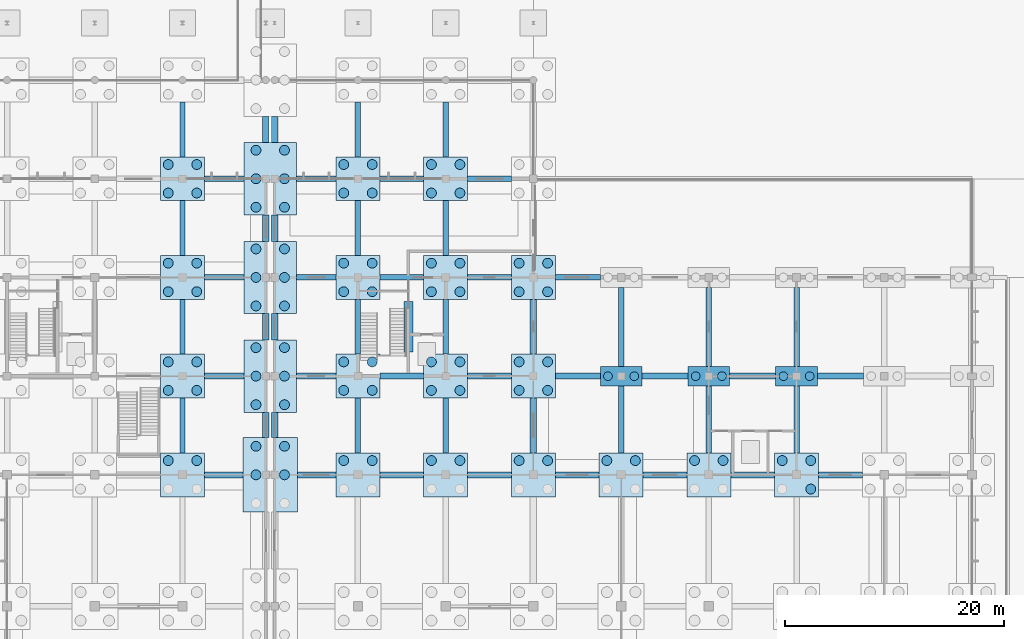
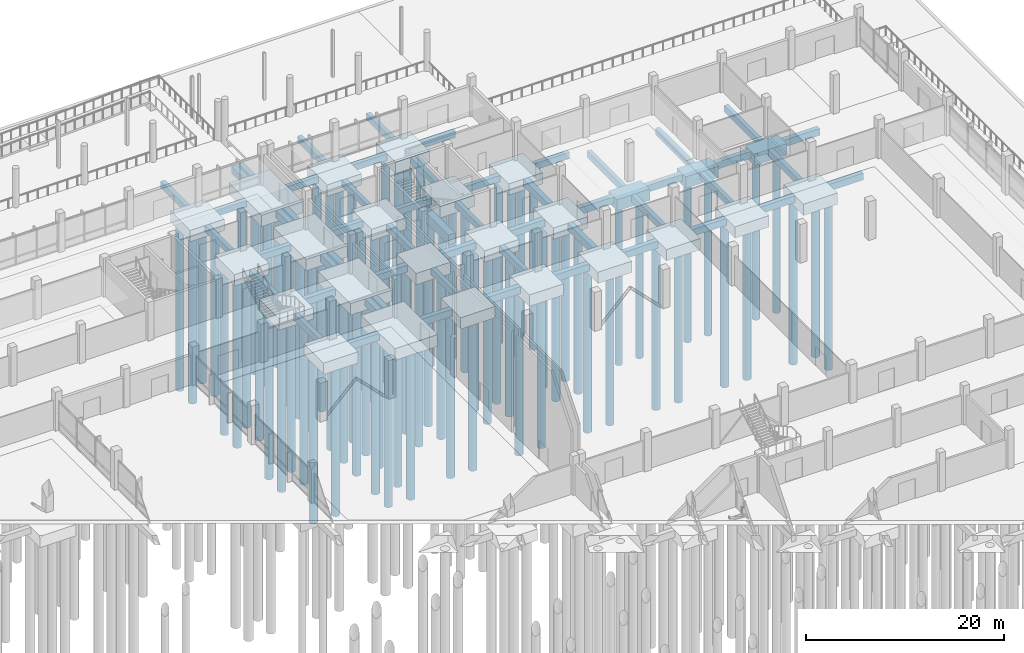
# One storey, part 10 of 72: 87 piles, 79 footings.
"""IFC4 building model written with IfcOpenShell, lengths in metres."""

from ifc_helpers import new_model, si_unit, direction, frame, origin, origin_2d, place, context, subcontext, project, spatial, rectangle, circle, extrude, material, material_profile, profile_set, type_object, element, save


model = new_model("IFC4")

# Units and contexts
model_context = context("Model", 3, precision=1e-05, world=origin(), true_north=direction((0.0, 1.0)))
body_context = subcontext(model_context, "Body", "Model", "MODEL_VIEW")
ifc_project = project(units=[si_unit("LENGTHUNIT", "METRE"), si_unit("AREAUNIT", "SQUARE_METRE"), si_unit("VOLUMEUNIT", "CUBIC_METRE"), si_unit("PLANEANGLEUNIT", "RADIAN"), si_unit("MASSUNIT", "GRAM", prefix="KILO"), si_unit("THERMODYNAMICTEMPERATUREUNIT", "KELVIN"), si_unit("POWERUNIT", "WATT")], contexts=[model_context])

# Site, building, storey
site_placement = place(None, origin())
site = spatial("IfcSite", under=ifc_project, at=site_placement, CompositionType="ELEMENT")
building_placement = place(site_placement, origin())
building = spatial("IfcBuilding", under=site, at=building_placement, Name="Kronsvod Quay Wholesale Market", CompositionType="ELEMENT")
storey_placement = place(building_placement, origin())
storey = spatial("IfcBuildingStorey", under=building, at=storey_placement, Name="L00", CompositionType="ELEMENT", Elevation=0.0)

# Footings
ifc_material_1 = material(Name="Concrete C35/45", Category="concrete")
footing_type_1 = type_object("IfcFootingType", Name="Cap_PC2A", PredefinedType="PILE_CAP", material=ifc_material_1)
for number, where, z_axis, x_axis, name in (
    (1, (160.0, 99.0, -2.64990234375), (0.0, 0.0, 1.0), (1.0, 0.0, 0.0), "CAP-230"),
    (2, (168.0, 99.0, -2.64990234375), (0.0, 0.0, 1.0), (1.0, 0.0, 0.0), "CAP-241"),
    (3, (176.0, 99.0, -2.64990234375), (0.0, 0.0, 1.0), (1.0, 0.0, 0.0), "CAP-252"),
):
    element("IfcFooting", number, at=place(storey_placement, frame(where, z_axis=z_axis, x_axis=x_axis)), inside=storey, type_object=footing_type_1, Name=name, PredefinedType="PILE_CAP", context=body_context, shape_type="SweptSolid", body=[
        extrude(rectangle(XDim=3.800048828125, YDim=1.800048828125, at=origin_2d()), origin(), (0.0, 0.0, 1.0), 1.39990234375),
    ])
ifc_material_2 = material(Name="Concrete C35/45", Category="concrete")
footing_type_2 = type_object("IfcFootingType", Name="Cap_PC4A", PredefinedType="PILE_CAP", material=ifc_material_2)
for number, where, z_axis, x_axis, name in (
    (4, (120.0, 90.0, -2.64990234375), (0.0, 0.0, 1.0), (1.0, 0.0, 0.0), "CAP-183"),
    (5, (120.0, 99.0, -2.64990234375), (0.0, 0.0, 1.0), (1.0, 0.0, 0.0), "CAP-184"),
    (6, (120.0, 108.0, -2.64990234375), (0.0, 0.0, 1.0), (1.0, 0.0, 0.0), "CAP-185"),
    (7, (120.0, 117.0, -2.64990234375), (0.0, 0.0, 1.0), (1.0, 0.0, 0.0), "CAP-186"),
    (8, (136.0, 90.0, -2.64990234375), (0.0, 0.0, 1.0), (1.0, 0.0, 0.0), "CAP-193"),
    (9, (136.0, 99.0, -2.64990234375), (0.0, 0.0, 1.0), (1.0, 0.0, 0.0), "CAP-194"),
    (10, (136.0, 108.0, -2.64990234375), (0.0, 0.0, 1.0), (1.0, 0.0, 0.0), "CAP-195"),
    (11, (136.0, 117.0, -2.64990234375), (0.0, 0.0, 1.0), (1.0, 0.0, 0.0), "CAP-196"),
    (12, (144.0, 90.0, -2.64990234375), (0.0, 0.0, 1.0), (1.0, 0.0, 0.0), "CAP-203"),
    (13, (144.0, 99.0, -2.64990234375), (0.0, 0.0, 1.0), (1.0, 0.0, 0.0), "CAP-204"),
    (14, (144.0, 108.0, -2.64990234375), (0.0, 0.0, 1.0), (1.0, 0.0, 0.0), "CAP-205"),
    (15, (144.0, 117.0, -2.64990234375), (0.0, 0.0, 1.0), (1.0, 0.0, 0.0), "CAP-206"),
    (16, (152.0, 90.0, -2.64990234375), (0.0, 0.0, 1.0), (1.0, 0.0, 0.0), "CAP-216"),
    (17, (152.0, 99.0, -2.64990234375), (0.0, 0.0, 1.0), (1.0, 0.0, 0.0), "CAP-217"),
    (18, (152.0, 108.0, -2.64990234375), (0.0, 0.0, 1.0), (1.0, 0.0, 0.0), "CAP-218"),
    (19, (160.0, 90.0, -2.64990234375), (0.0, 0.0, 1.0), (1.0, 0.0, 0.0), "CAP-229"),
    (20, (168.0, 90.0, -2.64990234375), (0.0, 0.0, 1.0), (1.0, 0.0, 0.0), "CAP-240"),
    (21, (176.0, 90.0, -2.64990234375), (0.0, 0.0, 1.0), (1.0, 0.0, 0.0), "CAP-251"),
):
    element("IfcFooting", number, at=place(storey_placement, frame(where, z_axis=z_axis, x_axis=x_axis)), inside=storey, type_object=footing_type_2, Name=name, PredefinedType="PILE_CAP", context=body_context, shape_type="SweptSolid", body=[
        extrude(rectangle(XDim=4.0, YDim=4.0, at=origin_2d()), origin(), (0.0, 0.0, 1.0), 1.39990234375),
    ])
ifc_material_3 = material(Name="Concrete C35/45", Category="concrete")
footing_type_3 = type_object("IfcFootingType", Name="Cap_PC6H", PredefinedType="PILE_CAP", material=ifc_material_3)
footing_1_placement = place(storey_placement, frame((128.0, 90.0, -2.7001953125), z_axis=(0.0, 0.0, 1.0), x_axis=(1.0, 0.0, 0.0)))
element("IfcFooting", 22, at=footing_1_placement, inside=storey, type_object=footing_type_3, Name="CAP-J012", PredefinedType="PILE_CAP", context=body_context, shape_type="SweptSolid", body=[
    extrude(rectangle(XDim=5.0, YDim=6.800048828125, at=origin_2d()), origin(), (0.0, 0.0, 1.0), 1.449951171875),
])
ifc_material_4 = material(Name="Concrete C35/45", Category="concrete")
footing_type_4 = type_object("IfcFootingType", Name="Cap_PC6J", PredefinedType="PILE_CAP", material=ifc_material_4)
for number, where, z_axis, x_axis, name in (
    (23, (128.0, 99.0, -2.64990234375), (0.0, 0.0, 1.0), (1.0, 0.0, 0.0), "CAP-J014"),
    (24, (128.0, 108.0, -2.64990234375), (0.0, 0.0, 1.0), (1.0, 0.0, 0.0), "CAP-J016"),
    (25, (128.0, 117.0, -2.64990234375), (0.0, 0.0, 1.0), (1.0, 0.0, 0.0), "CAP-J018"),
):
    element("IfcFooting", number, at=place(storey_placement, frame(where, z_axis=z_axis, x_axis=x_axis)), inside=storey, type_object=footing_type_4, Name=name, PredefinedType="PILE_CAP", context=body_context, shape_type="SweptSolid", body=[
        extrude(rectangle(XDim=4.800048828125, YDim=6.60009765625, at=origin_2d()), origin(), (0.0, 0.0, 1.0), 1.39990234375),
    ])
ifc_material_5 = material(Name="Concrete C35/45", Category="concrete")
ifc_material_profile_1 = material_profile(ifc_material_5, rectangle(XDim=0.5, YDim=0.800048828125, at=origin_2d()), Name="FB-01")
ifc_profile_set_1 = profile_set([ifc_material_profile_1], Name="Concrete C35/45")
footing_type_5 = type_object("IfcFootingType", Name="FootingBeam_500x800", PredefinedType="FOOTING_BEAM", material=ifc_profile_set_1)
for number, where, z_axis, x_axis, name in (
    (26, (122.0, 108.0, -1.64990234375), (1.0, 0.0, 0.0), (0.0, 1.0, 0.0), "FB-X-0250"),
    (27, (122.0, 117.0, -1.64990234375), (1.0, 0.0, 0.0), (0.0, 1.0, 0.0), "FB-X-0258"),
):
    element("IfcFooting", number, at=place(storey_placement, frame(where, z_axis=z_axis, x_axis=x_axis)), inside=storey, type_object=footing_type_5, Name=name, PredefinedType="FOOTING_BEAM", context=body_context, shape_type="SweptSolid", body=[
        extrude(rectangle(XDim=0.5, YDim=0.800048828125, at=origin_2d()), origin(), (0.0, 0.0, 1.0), 3.60009765625),
    ])
for number, where, z_axis, x_axis, name in (
    (28, (120.0, 92.0, -1.64990234375), (0.0, 1.0, 0.0), (-1.0, 0.0, 0.0), "FB-Y-0330"),
    (29, (120.0, 101.0, -1.64990234375), (0.0, 1.0, 0.0), (-1.0, 0.0, 0.0), "FB-Y-0331"),
    (30, (120.0, 110.0, -1.64990234375), (0.0, 1.0, 0.0), (-1.0, 0.0, 0.0), "FB-Y-0332"),
    (31, (120.0, 119.0, -1.64990234375), (0.0, 1.0, 0.0), (-1.0, 0.0, 0.0), "FB-Y-0333"),
):
    element("IfcFooting", number, at=place(storey_placement, frame(where, z_axis=z_axis, x_axis=x_axis)), inside=storey, type_object=footing_type_5, Name=name, PredefinedType="FOOTING_BEAM", context=body_context, shape_type="SweptSolid", body=[
        extrude(rectangle(XDim=0.5, YDim=0.800048828125, at=origin_2d()), origin(), (0.0, 0.0, 1.0), 5.0),
    ])
footing_2_placement = place(storey_placement, frame((130.39990234375, 108.0, -1.64990234375), z_axis=(1.0, 0.0, 0.0), x_axis=(0.0, 1.0, 0.0)))
element("IfcFooting", 32, at=footing_2_placement, inside=storey, type_object=footing_type_5, Name="FB-X-0414", PredefinedType="FOOTING_BEAM", context=body_context, shape_type="SweptSolid", body=[
    extrude(rectangle(XDim=0.5, YDim=0.800048828125, at=origin_2d()), origin(), (0.0, 0.0, 1.0), 3.60009765625),
])
for number, where, z_axis, x_axis, name in (
    (33, (138.0, 108.0, -1.64990234375), (1.0, 0.0, 0.0), (0.0, 1.0, 0.0), "FB-X-0415"),
    (34, (146.0, 108.0, -1.64990234375), (1.0, 0.0, 0.0), (0.0, 1.0, 0.0), "FB-X-0416"),
):
    element("IfcFooting", number, at=place(storey_placement, frame(where, z_axis=z_axis, x_axis=x_axis)), inside=storey, type_object=footing_type_5, Name=name, PredefinedType="FOOTING_BEAM", context=body_context, shape_type="SweptSolid", body=[
        extrude(rectangle(XDim=0.5, YDim=0.800048828125, at=origin_2d()), origin(), (0.0, 0.0, 1.0), 4.0),
    ])
footing_3_placement = place(storey_placement, frame((154.0, 108.0, -1.64990234375), z_axis=(1.0, 0.0, 0.0), x_axis=(0.0, 1.0, 0.0)))
element("IfcFooting", 35, at=footing_3_placement, inside=storey, type_object=footing_type_5, Name="FB-X-0417", PredefinedType="FOOTING_BEAM", context=body_context, shape_type="SweptSolid", body=[
    extrude(rectangle(XDim=0.5, YDim=0.800048828125, at=origin_2d()), origin(), (0.0, 0.0, 1.0), 4.10009765625),
])
footing_4_placement = place(storey_placement, frame((130.39990234375, 117.0, -1.64990234375), z_axis=(1.0, 0.0, 0.0), x_axis=(0.0, 1.0, 0.0)))
element("IfcFooting", 36, at=footing_4_placement, inside=storey, type_object=footing_type_5, Name="FB-X-0422", PredefinedType="FOOTING_BEAM", context=body_context, shape_type="SweptSolid", body=[
    extrude(rectangle(XDim=0.5, YDim=0.800048828125, at=origin_2d()), origin(), (0.0, 0.0, 1.0), 3.60009765625),
])
for number, where, z_axis, x_axis, name in (
    (37, (138.0, 117.0, -1.64990234375), (1.0, 0.0, 0.0), (0.0, 1.0, 0.0), "FB-X-0423"),
    (38, (146.0, 117.0, -1.64990234375), (1.0, 0.0, 0.0), (0.0, 1.0, 0.0), "FB-X-0424"),
):
    element("IfcFooting", number, at=place(storey_placement, frame(where, z_axis=z_axis, x_axis=x_axis)), inside=storey, type_object=footing_type_5, Name=name, PredefinedType="FOOTING_BEAM", context=body_context, shape_type="SweptSolid", body=[
        extrude(rectangle(XDim=0.5, YDim=0.800048828125, at=origin_2d()), origin(), (0.0, 0.0, 1.0), 4.0),
    ])
for number, where, z_axis, x_axis, name in (
    (39, (136.0, 92.0, -1.64990234375), (0.0, 1.0, 0.0), (-1.0, 0.0, 0.0), "FB-Y-0440"),
    (40, (136.0, 101.0, -1.64990234375), (0.0, 1.0, 0.0), (-1.0, 0.0, 0.0), "FB-Y-0441"),
    (41, (136.0, 110.0, -1.64990234375), (0.0, 1.0, 0.0), (-1.0, 0.0, 0.0), "FB-Y-0442"),
    (42, (136.0, 119.0, -1.64990234375), (0.0, 1.0, 0.0), (-1.0, 0.0, 0.0), "FB-Y-0443"),
    (43, (144.0, 92.0, -1.64990234375), (0.0, 1.0, 0.0), (-1.0, 0.0, 0.0), "FB-Y-0448"),
    (44, (144.0, 101.0, -1.64990234375), (0.0, 1.0, 0.0), (-1.0, 0.0, 0.0), "FB-Y-0449"),
    (45, (144.0, 110.0, -1.64990234375), (0.0, 1.0, 0.0), (-1.0, 0.0, 0.0), "FB-Y-0450"),
    (46, (144.0, 119.0, -1.64990234375), (0.0, 1.0, 0.0), (-1.0, 0.0, 0.0), "FB-Y-0451"),
):
    element("IfcFooting", number, at=place(storey_placement, frame(where, z_axis=z_axis, x_axis=x_axis)), inside=storey, type_object=footing_type_5, Name=name, PredefinedType="FOOTING_BEAM", context=body_context, shape_type="SweptSolid", body=[
        extrude(rectangle(XDim=0.5, YDim=0.800048828125, at=origin_2d()), origin(), (0.0, 0.0, 1.0), 5.0),
    ])
footing_5_placement = place(storey_placement, frame((160.0, 92.0, -1.64990234375), z_axis=(0.0, 1.0, 0.0), x_axis=(-1.0, 0.0, 0.0)))
element("IfcFooting", 47, at=footing_5_placement, inside=storey, type_object=footing_type_5, Name="FB-Y-0470", PredefinedType="FOOTING_BEAM", context=body_context, shape_type="SweptSolid", body=[
    extrude(rectangle(XDim=0.5, YDim=0.800048828125, at=origin_2d()), origin(), (0.0, 0.0, 1.0), 6.10009765625),
])
footing_6_placement = place(storey_placement, frame((160.0, 99.89990234375, -1.64990234375), z_axis=(0.0, 1.0, 0.0), x_axis=(-1.0, 0.0, 0.0)))
element("IfcFooting", 48, at=footing_6_placement, inside=storey, type_object=footing_type_5, Name="FB-Y-0471", PredefinedType="FOOTING_BEAM", context=body_context, shape_type="SweptSolid", body=[
    extrude(rectangle(XDim=0.5, YDim=0.800048828125, at=origin_2d()), origin(), (0.0, 0.0, 1.0), 7.2001953125),
])
footing_7_placement = place(storey_placement, frame((168.0, 92.0, -1.64990234375), z_axis=(0.0, 1.0, 0.0), x_axis=(-1.0, 0.0, 0.0)))
element("IfcFooting", 49, at=footing_7_placement, inside=storey, type_object=footing_type_5, Name="FB-Y-0479", PredefinedType="FOOTING_BEAM", context=body_context, shape_type="SweptSolid", body=[
    extrude(rectangle(XDim=0.5, YDim=0.800048828125, at=origin_2d()), origin(), (0.0, 0.0, 1.0), 6.10009765625),
])
footing_8_placement = place(storey_placement, frame((168.0, 99.89990234375, -1.64990234375), z_axis=(0.0, 1.0, 0.0), x_axis=(-1.0, 0.0, 0.0)))
element("IfcFooting", 50, at=footing_8_placement, inside=storey, type_object=footing_type_5, Name="FB-Y-0480", PredefinedType="FOOTING_BEAM", context=body_context, shape_type="SweptSolid", body=[
    extrude(rectangle(XDim=0.5, YDim=0.800048828125, at=origin_2d()), origin(), (0.0, 0.0, 1.0), 7.2001953125),
])
footing_9_placement = place(storey_placement, frame((176.0, 92.0, -1.64990234375), z_axis=(0.0, 1.0, 0.0), x_axis=(-1.0, 0.0, 0.0)))
element("IfcFooting", 51, at=footing_9_placement, inside=storey, type_object=footing_type_5, Name="FB-Y-0488", PredefinedType="FOOTING_BEAM", context=body_context, shape_type="SweptSolid", body=[
    extrude(rectangle(XDim=0.5, YDim=0.800048828125, at=origin_2d()), origin(), (0.0, 0.0, 1.0), 6.10009765625),
])
footing_10_placement = place(storey_placement, frame((176.0, 99.89990234375, -1.64990234375), z_axis=(0.0, 1.0, 0.0), x_axis=(-1.0, 0.0, 0.0)))
element("IfcFooting", 52, at=footing_10_placement, inside=storey, type_object=footing_type_5, Name="FB-Y-0489", PredefinedType="FOOTING_BEAM", context=body_context, shape_type="SweptSolid", body=[
    extrude(rectangle(XDim=0.5, YDim=0.800048828125, at=origin_2d()), origin(), (0.0, 0.0, 1.0), 7.2001953125),
])
ifc_material_6 = material(Name="Concrete C35/45", Category="concrete")
ifc_material_profile_2 = material_profile(ifc_material_6, rectangle(XDim=0.550048828125, YDim=0.85009765625, at=origin_2d()), Name="FB-03")
ifc_profile_set_2 = profile_set([ifc_material_profile_2], Name="Concrete C35/45")
footing_type_6 = type_object("IfcFootingType", Name="FootingBeam_550x850", PredefinedType="FOOTING_BEAM", material=ifc_profile_set_2)
footing_11_placement = place(storey_placement, frame((122.0, 90.0, -1.675048828125), z_axis=(1.0, 0.0, 0.0), x_axis=(0.0, 1.0, 0.0)))
element("IfcFooting", 53, at=footing_11_placement, inside=storey, type_object=footing_type_6, Name="FB-X-0234", PredefinedType="FOOTING_BEAM", context=body_context, shape_type="SweptSolid", body=[
    extrude(rectangle(XDim=0.550048828125, YDim=0.85009765625, at=origin_2d()), origin(), (0.0, 0.0, 1.0), 3.5),
])
footing_12_placement = place(storey_placement, frame((122.0, 99.0, -1.675048828125), z_axis=(1.0, 0.0, 0.0), x_axis=(0.0, 1.0, 0.0)))
element("IfcFooting", 54, at=footing_12_placement, inside=storey, type_object=footing_type_6, Name="FB-X-0242", PredefinedType="FOOTING_BEAM", context=body_context, shape_type="SweptSolid", body=[
    extrude(rectangle(XDim=0.550048828125, YDim=0.85009765625, at=origin_2d()), origin(), (0.0, 0.0, 1.0), 3.60009765625),
])
footing_13_placement = place(storey_placement, frame((130.5, 90.0, -1.675048828125), z_axis=(1.0, 0.0, 0.0), x_axis=(0.0, 1.0, 0.0)))
element("IfcFooting", 55, at=footing_13_placement, inside=storey, type_object=footing_type_6, Name="FB-X-0398", PredefinedType="FOOTING_BEAM", context=body_context, shape_type="SweptSolid", body=[
    extrude(rectangle(XDim=0.550048828125, YDim=0.85009765625, at=origin_2d()), origin(), (0.0, 0.0, 1.0), 3.5),
])
for number, where, z_axis, x_axis, name in (
    (56, (138.0, 90.0, -1.675048828125), (1.0, 0.0, 0.0), (0.0, 1.0, 0.0), "FB-X-0399"),
    (57, (146.0, 90.0, -1.675048828125), (1.0, 0.0, 0.0), (0.0, 1.0, 0.0), "FB-X-0400"),
    (58, (154.0, 90.0, -1.675048828125), (1.0, 0.0, 0.0), (0.0, 1.0, 0.0), "FB-X-0401"),
    (59, (162.0, 90.0, -1.675048828125), (1.0, 0.0, 0.0), (0.0, 1.0, 0.0), "FB-X-0402"),
    (60, (170.0, 90.0, -1.675048828125), (1.0, 0.0, 0.0), (0.0, 1.0, 0.0), "FB-X-0403"),
    (61, (178.0, 90.0, -1.675048828125), (1.0, 0.0, 0.0), (0.0, 1.0, 0.0), "FB-X-0404"),
):
    element("IfcFooting", number, at=place(storey_placement, frame(where, z_axis=z_axis, x_axis=x_axis)), inside=storey, type_object=footing_type_6, Name=name, PredefinedType="FOOTING_BEAM", context=body_context, shape_type="SweptSolid", body=[
        extrude(rectangle(XDim=0.550048828125, YDim=0.85009765625, at=origin_2d()), origin(), (0.0, 0.0, 1.0), 4.0),
    ])
footing_14_placement = place(storey_placement, frame((130.39990234375, 99.0, -1.675048828125), z_axis=(1.0, 0.0, 0.0), x_axis=(0.0, 1.0, 0.0)))
element("IfcFooting", 62, at=footing_14_placement, inside=storey, type_object=footing_type_6, Name="FB-X-0406", PredefinedType="FOOTING_BEAM", context=body_context, shape_type="SweptSolid", body=[
    extrude(rectangle(XDim=0.550048828125, YDim=0.85009765625, at=origin_2d()), origin(), (0.0, 0.0, 1.0), 3.60009765625),
])
for number, where, z_axis, x_axis, name in (
    (63, (138.0, 99.0, -1.675048828125), (1.0, 0.0, 0.0), (0.0, 1.0, 0.0), "FB-X-0407"),
    (64, (146.0, 99.0, -1.675048828125), (1.0, 0.0, 0.0), (0.0, 1.0, 0.0), "FB-X-0408"),
):
    element("IfcFooting", number, at=place(storey_placement, frame(where, z_axis=z_axis, x_axis=x_axis)), inside=storey, type_object=footing_type_6, Name=name, PredefinedType="FOOTING_BEAM", context=body_context, shape_type="SweptSolid", body=[
        extrude(rectangle(XDim=0.550048828125, YDim=0.85009765625, at=origin_2d()), origin(), (0.0, 0.0, 1.0), 4.0),
    ])
footing_15_placement = place(storey_placement, frame((154.0, 99.0, -1.675048828125), z_axis=(1.0, 0.0, 0.0), x_axis=(0.0, 1.0, 0.0)))
element("IfcFooting", 65, at=footing_15_placement, inside=storey, type_object=footing_type_6, Name="FB-X-0409", PredefinedType="FOOTING_BEAM", context=body_context, shape_type="SweptSolid", body=[
    extrude(rectangle(XDim=0.550048828125, YDim=0.85009765625, at=origin_2d()), origin(), (0.0, 0.0, 1.0), 4.10009765625),
])
for number, where, z_axis, x_axis, name in (
    (66, (161.89990234375, 99.0, -1.675048828125), (1.0, 0.0, 0.0), (0.0, 1.0, 0.0), "FB-X-0410"),
    (67, (169.89990234375, 99.0, -1.675048828125), (1.0, 0.0, 0.0), (0.0, 1.0, 0.0), "FB-X-0411"),
    (68, (177.89990234375, 99.0, -1.675048828125), (1.0, 0.0, 0.0), (0.0, 1.0, 0.0), "FB-X-0412"),
):
    element("IfcFooting", number, at=place(storey_placement, frame(where, z_axis=z_axis, x_axis=x_axis)), inside=storey, type_object=footing_type_6, Name=name, PredefinedType="FOOTING_BEAM", context=body_context, shape_type="SweptSolid", body=[
        extrude(rectangle(XDim=0.550048828125, YDim=0.85009765625, at=origin_2d()), origin(), (0.0, 0.0, 1.0), 4.2001953125),
    ])
ifc_material_7 = material(Name="Concrete C35/45", Category="concrete")
ifc_material_profile_3 = material_profile(ifc_material_7, rectangle(XDim=0.60009765625, YDim=0.89990234375, at=origin_2d()), Name="FB-02")
ifc_profile_set_3 = profile_set([ifc_material_profile_3], Name="Concrete C35/45")
footing_type_7 = type_object("IfcFootingType", Name="FootingBeam_600x900", PredefinedType="FOOTING_BEAM", material=ifc_profile_set_3)
footing_16_placement = place(storey_placement, frame((127.60009765625, 93.39990234375, -1.699951171875), z_axis=(0.0, 1.0, 0.0), x_axis=(-1.0, 0.0, 0.0)))
element("IfcFooting", 69, at=footing_16_placement, inside=storey, type_object=footing_type_7, Name="FB-Y-0338", PredefinedType="FOOTING_BEAM", context=body_context, shape_type="SweptSolid", body=[
    extrude(rectangle(XDim=0.60009765625, YDim=0.89990234375, at=origin_2d()), origin(), (0.0, 0.0, 1.0), 2.300048828125),
])
for number, where, z_axis, x_axis, name in (
    (70, (127.60009765625, 102.300048828125, -1.699951171875), (0.0, 1.0, 0.0), (-1.0, 0.0, 0.0), "FB-Y-0339"),
    (71, (127.60009765625, 111.300048828125, -1.699951171875), (0.0, 1.0, 0.0), (-1.0, 0.0, 0.0), "FB-Y-0340"),
    (72, (127.60009765625, 120.300048828125, -1.699951171875), (0.0, 1.0, 0.0), (-1.0, 0.0, 0.0), "FB-Y-0341"),
):
    element("IfcFooting", number, at=place(storey_placement, frame(where, z_axis=z_axis, x_axis=x_axis)), inside=storey, type_object=footing_type_7, Name=name, PredefinedType="FOOTING_BEAM", context=body_context, shape_type="SweptSolid", body=[
        extrude(rectangle(XDim=0.60009765625, YDim=0.89990234375, at=origin_2d()), origin(), (0.0, 0.0, 1.0), 2.39990234375),
    ])
footing_17_placement = place(storey_placement, frame((128.39990234375, 93.39990234375, -1.699951171875), z_axis=(0.0, 1.0, 0.0), x_axis=(-1.0, 0.0, 0.0)))
element("IfcFooting", 73, at=footing_17_placement, inside=storey, type_object=footing_type_7, Name="FB-Y-0432", PredefinedType="FOOTING_BEAM", context=body_context, shape_type="SweptSolid", body=[
    extrude(rectangle(XDim=0.60009765625, YDim=0.89990234375, at=origin_2d()), origin(), (0.0, 0.0, 1.0), 2.300048828125),
])
for number, where, z_axis, x_axis, name in (
    (74, (128.39990234375, 102.300048828125, -1.699951171875), (0.0, 1.0, 0.0), (-1.0, 0.0, 0.0), "FB-Y-0433"),
    (75, (128.39990234375, 111.300048828125, -1.699951171875), (0.0, 1.0, 0.0), (-1.0, 0.0, 0.0), "FB-Y-0434"),
    (76, (128.39990234375, 120.300048828125, -1.699951171875), (0.0, 1.0, 0.0), (-1.0, 0.0, 0.0), "FB-Y-0435"),
):
    element("IfcFooting", number, at=place(storey_placement, frame(where, z_axis=z_axis, x_axis=x_axis)), inside=storey, type_object=footing_type_7, Name=name, PredefinedType="FOOTING_BEAM", context=body_context, shape_type="SweptSolid", body=[
        extrude(rectangle(XDim=0.60009765625, YDim=0.89990234375, at=origin_2d()), origin(), (0.0, 0.0, 1.0), 2.39990234375),
    ])
for number, where, z_axis, x_axis, name in (
    (77, (152.0, 92.0, -1.699951171875), (0.0, 1.0, 0.0), (-1.0, 0.0, 0.0), "FB-Y-0459"),
    (78, (152.0, 101.0, -1.699951171875), (0.0, 1.0, 0.0), (-1.0, 0.0, 0.0), "FB-Y-0460"),
):
    element("IfcFooting", number, at=place(storey_placement, frame(where, z_axis=z_axis, x_axis=x_axis)), inside=storey, type_object=footing_type_7, Name=name, PredefinedType="FOOTING_BEAM", context=body_context, shape_type="SweptSolid", body=[
        extrude(rectangle(XDim=0.60009765625, YDim=0.89990234375, at=origin_2d()), origin(), (0.0, 0.0, 1.0), 5.0),
    ])

# Piles
ifc_material_8 = material(Name="Concrete C35/45", Category="concrete")
ifc_material_profile_4 = material_profile(ifc_material_8, circle(Radius=0.39990234375, at=origin_2d()), Name="PILE800")
ifc_profile_set_4 = profile_set([ifc_material_profile_4], Name="Concrete C35/45")
pile_type_1 = type_object("IfcPileType", Name="Pile_PILE800", PredefinedType="BORED", material=ifc_profile_set_4)
for number, where, z_axis, x_axis, name in (
    (79, (158.800048828125, 99.0, -2.64990234375), (0.0, 0.0, -1.0), (1.0, 0.0, 0.0), "PILE-0893"),
    (80, (161.199951171875, 99.0, -2.64990234375), (0.0, 0.0, -1.0), (1.0, 0.0, 0.0), "PILE-0894"),
    (81, (166.800048828125, 99.0, -2.64990234375), (0.0, 0.0, -1.0), (1.0, 0.0, 0.0), "PILE-0929"),
    (82, (169.199951171875, 99.0, -2.64990234375), (0.0, 0.0, -1.0), (1.0, 0.0, 0.0), "PILE-0930"),
    (83, (174.800048828125, 99.0, -2.64990234375), (0.0, 0.0, -1.0), (1.0, 0.0, 0.0), "PILE-0965"),
    (84, (177.199951171875, 99.0, -2.64990234375), (0.0, 0.0, -1.0), (1.0, 0.0, 0.0), "PILE-0966"),
):
    element("IfcPile", number, at=place(storey_placement, frame(where, z_axis=z_axis, x_axis=x_axis)), inside=storey, type_object=pile_type_1, Name=name, PredefinedType="BORED", context=body_context, shape_type="SweptSolid", body=[
        extrude(circle(Radius=0.39990234375, at=origin_2d()), origin(), (0.0, 0.0, 1.0), 19.60009765625),
    ])
ifc_material_9 = material(Name="Concrete C35/45", Category="concrete")
ifc_material_profile_5 = material_profile(ifc_material_9, circle(Radius=0.449951171875, at=origin_2d()), Name="PILE900")
ifc_profile_set_5 = profile_set([ifc_material_profile_5], Name="Concrete C35/45")
pile_type_2 = type_object("IfcPileType", Name="Pile_PILE900", PredefinedType="BORED", material=ifc_profile_set_5)
for number, where, z_axis, x_axis, name in (
    (85, (126.699951171875, 90.0, -2.64990234375), (0.0, 0.0, -1.0), (1.0, 0.0, 0.0), "PILE-0068"),
    (86, (126.699951171875, 92.60009765625, -2.64990234375), (0.0, 0.0, -1.0), (1.0, 0.0, 0.0), "PILE-0069"),
    (87, (129.300048828125, 90.0, -2.64990234375), (0.0, 0.0, -1.0), (1.0, 0.0, 0.0), "PILE-0071"),
    (88, (129.300048828125, 92.60009765625, -2.64990234375), (0.0, 0.0, -1.0), (1.0, 0.0, 0.0), "PILE-0072"),
    (89, (126.699951171875, 96.39990234375, -2.64990234375), (0.0, 0.0, -1.0), (1.0, 0.0, 0.0), "PILE-0079"),
    (90, (126.699951171875, 99.0, -2.64990234375), (0.0, 0.0, -1.0), (1.0, 0.0, 0.0), "PILE-0080"),
    (91, (126.699951171875, 101.60009765625, -2.64990234375), (0.0, 0.0, -1.0), (1.0, 0.0, 0.0), "PILE-0081"),
    (92, (129.300048828125, 96.39990234375, -2.64990234375), (0.0, 0.0, -1.0), (1.0, 0.0, 0.0), "PILE-0082"),
    (93, (129.300048828125, 99.0, -2.64990234375), (0.0, 0.0, -1.0), (1.0, 0.0, 0.0), "PILE-0083"),
    (94, (129.300048828125, 101.60009765625, -2.64990234375), (0.0, 0.0, -1.0), (1.0, 0.0, 0.0), "PILE-0084"),
    (95, (126.699951171875, 105.39990234375, -2.64990234375), (0.0, 0.0, -1.0), (1.0, 0.0, 0.0), "PILE-0091"),
    (96, (126.699951171875, 108.0, -2.64990234375), (0.0, 0.0, -1.0), (1.0, 0.0, 0.0), "PILE-0092"),
    (97, (126.699951171875, 110.60009765625, -2.64990234375), (0.0, 0.0, -1.0), (1.0, 0.0, 0.0), "PILE-0093"),
    (98, (129.300048828125, 105.39990234375, -2.64990234375), (0.0, 0.0, -1.0), (1.0, 0.0, 0.0), "PILE-0094"),
    (99, (129.300048828125, 108.0, -2.64990234375), (0.0, 0.0, -1.0), (1.0, 0.0, 0.0), "PILE-0095"),
    (100, (129.300048828125, 110.60009765625, -2.64990234375), (0.0, 0.0, -1.0), (1.0, 0.0, 0.0), "PILE-0096"),
    (101, (126.699951171875, 114.39990234375, -2.64990234375), (0.0, 0.0, -1.0), (1.0, 0.0, 0.0), "PILE-0103"),
    (102, (126.699951171875, 117.0, -2.64990234375), (0.0, 0.0, -1.0), (1.0, 0.0, 0.0), "PILE-0104"),
    (103, (126.699951171875, 119.60009765625, -2.64990234375), (0.0, 0.0, -1.0), (1.0, 0.0, 0.0), "PILE-0105"),
    (104, (129.300048828125, 114.39990234375, -2.64990234375), (0.0, 0.0, -1.0), (1.0, 0.0, 0.0), "PILE-0106"),
    (105, (129.300048828125, 117.0, -2.64990234375), (0.0, 0.0, -1.0), (1.0, 0.0, 0.0), "PILE-0107"),
    (106, (129.300048828125, 119.60009765625, -2.64990234375), (0.0, 0.0, -1.0), (1.0, 0.0, 0.0), "PILE-0108"),
    (107, (118.699951171875, 91.300048828125, -2.64990234375), (0.0, 0.0, -1.0), (1.0, 0.0, 0.0), "PILE-0718"),
    (108, (121.300048828125, 91.300048828125, -2.64990234375), (0.0, 0.0, -1.0), (1.0, 0.0, 0.0), "PILE-0720"),
    (109, (118.699951171875, 97.699951171875, -2.64990234375), (0.0, 0.0, -1.0), (1.0, 0.0, 0.0), "PILE-0721"),
    (110, (118.699951171875, 100.300048828125, -2.64990234375), (0.0, 0.0, -1.0), (1.0, 0.0, 0.0), "PILE-0722"),
    (111, (121.300048828125, 97.699951171875, -2.64990234375), (0.0, 0.0, -1.0), (1.0, 0.0, 0.0), "PILE-0723"),
    (112, (121.300048828125, 100.300048828125, -2.64990234375), (0.0, 0.0, -1.0), (1.0, 0.0, 0.0), "PILE-0724"),
    (113, (118.699951171875, 106.699951171875, -2.64990234375), (0.0, 0.0, -1.0), (1.0, 0.0, 0.0), "PILE-0725"),
    (114, (118.699951171875, 109.300048828125, -2.64990234375), (0.0, 0.0, -1.0), (1.0, 0.0, 0.0), "PILE-0726"),
    (115, (121.300048828125, 106.699951171875, -2.64990234375), (0.0, 0.0, -1.0), (1.0, 0.0, 0.0), "PILE-0727"),
    (116, (121.300048828125, 109.300048828125, -2.64990234375), (0.0, 0.0, -1.0), (1.0, 0.0, 0.0), "PILE-0728"),
    (117, (118.699951171875, 115.699951171875, -2.64990234375), (0.0, 0.0, -1.0), (1.0, 0.0, 0.0), "PILE-0729"),
    (118, (118.699951171875, 118.300048828125, -2.64990234375), (0.0, 0.0, -1.0), (1.0, 0.0, 0.0), "PILE-0730"),
    (119, (121.300048828125, 115.699951171875, -2.64990234375), (0.0, 0.0, -1.0), (1.0, 0.0, 0.0), "PILE-0731"),
    (120, (121.300048828125, 118.300048828125, -2.64990234375), (0.0, 0.0, -1.0), (1.0, 0.0, 0.0), "PILE-0732"),
    (121, (134.699951171875, 91.300048828125, -2.64990234375), (0.0, 0.0, -1.0), (1.0, 0.0, 0.0), "PILE-0756"),
    (122, (137.300048828125, 91.300048828125, -2.64990234375), (0.0, 0.0, -1.0), (1.0, 0.0, 0.0), "PILE-0758"),
    (123, (134.699951171875, 97.699951171875, -2.64990234375), (0.0, 0.0, -1.0), (1.0, 0.0, 0.0), "PILE-0759"),
    (124, (134.699951171875, 100.300048828125, -2.64990234375), (0.0, 0.0, -1.0), (1.0, 0.0, 0.0), "PILE-0760"),
    (125, (137.300048828125, 97.699951171875, -2.64990234375), (0.0, 0.0, -1.0), (1.0, 0.0, 0.0), "PILE-0761"),
    (126, (137.300048828125, 100.300048828125, -2.64990234375), (0.0, 0.0, -1.0), (1.0, 0.0, 0.0), "PILE-0762"),
    (127, (134.699951171875, 106.699951171875, -2.64990234375), (0.0, 0.0, -1.0), (1.0, 0.0, 0.0), "PILE-0763"),
    (128, (134.699951171875, 109.300048828125, -2.64990234375), (0.0, 0.0, -1.0), (1.0, 0.0, 0.0), "PILE-0764"),
    (129, (137.300048828125, 106.699951171875, -2.64990234375), (0.0, 0.0, -1.0), (1.0, 0.0, 0.0), "PILE-0765"),
    (130, (137.300048828125, 109.300048828125, -2.64990234375), (0.0, 0.0, -1.0), (1.0, 0.0, 0.0), "PILE-0766"),
    (131, (134.699951171875, 115.699951171875, -2.64990234375), (0.0, 0.0, -1.0), (1.0, 0.0, 0.0), "PILE-0767"),
    (132, (134.699951171875, 118.300048828125, -2.64990234375), (0.0, 0.0, -1.0), (1.0, 0.0, 0.0), "PILE-0768"),
    (133, (137.300048828125, 115.699951171875, -2.64990234375), (0.0, 0.0, -1.0), (1.0, 0.0, 0.0), "PILE-0769"),
    (134, (137.300048828125, 118.300048828125, -2.64990234375), (0.0, 0.0, -1.0), (1.0, 0.0, 0.0), "PILE-0770"),
    (135, (142.699951171875, 91.300048828125, -2.64990234375), (0.0, 0.0, -1.0), (1.0, 0.0, 0.0), "PILE-0794"),
    (136, (145.300048828125, 91.300048828125, -2.64990234375), (0.0, 0.0, -1.0), (1.0, 0.0, 0.0), "PILE-0796"),
    (137, (142.699951171875, 97.699951171875, -2.64990234375), (0.0, 0.0, -1.0), (1.0, 0.0, 0.0), "PILE-0797"),
    (138, (142.699951171875, 100.300048828125, -2.64990234375), (0.0, 0.0, -1.0), (1.0, 0.0, 0.0), "PILE-0798"),
    (139, (145.300048828125, 97.699951171875, -2.64990234375), (0.0, 0.0, -1.0), (1.0, 0.0, 0.0), "PILE-0799"),
    (140, (145.300048828125, 100.300048828125, -2.64990234375), (0.0, 0.0, -1.0), (1.0, 0.0, 0.0), "PILE-0800"),
    (141, (142.699951171875, 106.699951171875, -2.64990234375), (0.0, 0.0, -1.0), (1.0, 0.0, 0.0), "PILE-0801"),
    (142, (142.699951171875, 109.300048828125, -2.64990234375), (0.0, 0.0, -1.0), (1.0, 0.0, 0.0), "PILE-0802"),
    (143, (145.300048828125, 106.699951171875, -2.64990234375), (0.0, 0.0, -1.0), (1.0, 0.0, 0.0), "PILE-0803"),
    (144, (145.300048828125, 109.300048828125, -2.64990234375), (0.0, 0.0, -1.0), (1.0, 0.0, 0.0), "PILE-0804"),
    (145, (142.699951171875, 115.699951171875, -2.64990234375), (0.0, 0.0, -1.0), (1.0, 0.0, 0.0), "PILE-0805"),
    (146, (142.699951171875, 118.300048828125, -2.64990234375), (0.0, 0.0, -1.0), (1.0, 0.0, 0.0), "PILE-0806"),
    (147, (145.300048828125, 115.699951171875, -2.64990234375), (0.0, 0.0, -1.0), (1.0, 0.0, 0.0), "PILE-0807"),
    (148, (145.300048828125, 118.300048828125, -2.64990234375), (0.0, 0.0, -1.0), (1.0, 0.0, 0.0), "PILE-0808"),
    (149, (150.699951171875, 91.300048828125, -2.64990234375), (0.0, 0.0, -1.0), (1.0, 0.0, 0.0), "PILE-0842"),
    (150, (153.300048828125, 91.300048828125, -2.64990234375), (0.0, 0.0, -1.0), (1.0, 0.0, 0.0), "PILE-0844"),
    (151, (150.699951171875, 97.699951171875, -2.64990234375), (0.0, 0.0, -1.0), (1.0, 0.0, 0.0), "PILE-0845"),
    (152, (150.699951171875, 100.300048828125, -2.64990234375), (0.0, 0.0, -1.0), (1.0, 0.0, 0.0), "PILE-0846"),
    (153, (153.300048828125, 97.699951171875, -2.64990234375), (0.0, 0.0, -1.0), (1.0, 0.0, 0.0), "PILE-0847"),
    (154, (153.300048828125, 100.300048828125, -2.64990234375), (0.0, 0.0, -1.0), (1.0, 0.0, 0.0), "PILE-0848"),
    (155, (150.699951171875, 106.699951171875, -2.64990234375), (0.0, 0.0, -1.0), (1.0, 0.0, 0.0), "PILE-0849"),
    (156, (150.699951171875, 109.300048828125, -2.64990234375), (0.0, 0.0, -1.0), (1.0, 0.0, 0.0), "PILE-0850"),
    (157, (153.300048828125, 106.699951171875, -2.64990234375), (0.0, 0.0, -1.0), (1.0, 0.0, 0.0), "PILE-0851"),
    (158, (153.300048828125, 109.300048828125, -2.64990234375), (0.0, 0.0, -1.0), (1.0, 0.0, 0.0), "PILE-0852"),
    (159, (158.699951171875, 91.300048828125, -2.64990234375), (0.0, 0.0, -1.0), (1.0, 0.0, 0.0), "PILE-0890"),
    (160, (161.300048828125, 91.300048828125, -2.64990234375), (0.0, 0.0, -1.0), (1.0, 0.0, 0.0), "PILE-0892"),
    (161, (166.699951171875, 91.300048828125, -2.64990234375), (0.0, 0.0, -1.0), (1.0, 0.0, 0.0), "PILE-0926"),
    (162, (169.300048828125, 91.300048828125, -2.64990234375), (0.0, 0.0, -1.0), (1.0, 0.0, 0.0), "PILE-0928"),
    (163, (174.699951171875, 91.300048828125, -2.64990234375), (0.0, 0.0, -1.0), (1.0, 0.0, 0.0), "PILE-0962"),
    (164, (177.300048828125, 88.699951171875, -2.64990234375), (0.0, 0.0, -1.0), (1.0, 0.0, 0.0), "PILE-0963"),
    (165, (177.300048828125, 91.300048828125, -2.64990234375), (0.0, 0.0, -1.0), (1.0, 0.0, 0.0), "PILE-0964"),
):
    element("IfcPile", number, at=place(storey_placement, frame(where, z_axis=z_axis, x_axis=x_axis)), inside=storey, type_object=pile_type_2, Name=name, PredefinedType="BORED", context=body_context, shape_type="SweptSolid", body=[
        extrude(circle(Radius=0.449951171875, at=origin_2d()), origin(), (0.0, 0.0, 1.0), 20.39990234375),
    ])

# Footing
ifc_material_10 = material(Name="Concrete C35/45", Category="concrete")
ifc_material_profile_6 = material_profile(ifc_material_10, rectangle(XDim=0.800048828125, YDim=1.199951171875, at=origin_2d()), Name="SF-01")
ifc_profile_set_6 = profile_set([ifc_material_profile_6], Name="Concrete C35/45")
footing_type_8 = type_object("IfcFootingType", Name="StripFooting_800x1200", PredefinedType="STRIP_FOOTING", material=ifc_profile_set_6)
footing_18_placement = place(storey_placement, frame((140.60009765625, 101.199951171875, -1.85009765625), z_axis=(0.0, 1.0, 0.0), x_axis=(-1.0, 0.0, 0.0)))
element("IfcFooting", 166, at=footing_18_placement, inside=storey, type_object=footing_type_8, Name="SF-C10-DIV", PredefinedType="STRIP_FOOTING", context=body_context, shape_type="SweptSolid", body=[
    extrude(rectangle(XDim=0.800048828125, YDim=1.199951171875, at=origin_2d()), origin(), (0.0, 0.0, 1.0), 4.60009765625),
])

save(model, "model.ifc")
